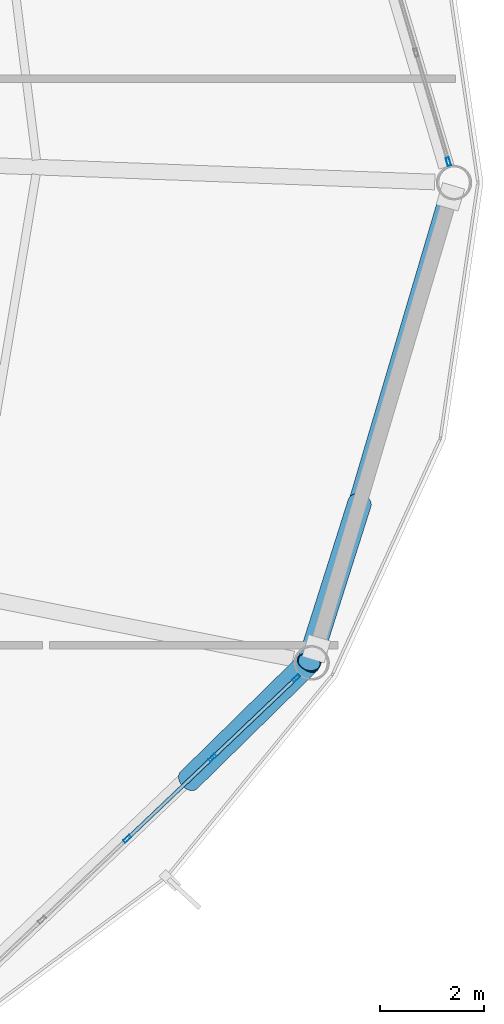
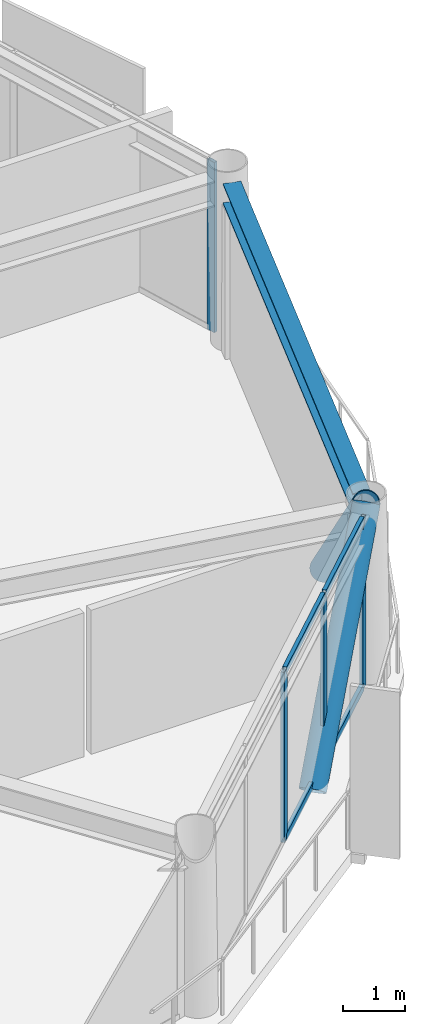
# One storey, part 16 of 29: 10 members, 1 beam, 2 elements without a shape of their own.
"""IFC4 building model written with IfcOpenShell, lengths in metres."""

from ifc_helpers import new_model, si_unit, direction, frame, origin, origin_2d, place, context, subcontext, project, spatial, hollow_rectangle, hollow_circle, i_section, extrude, material, layer, layer_set, material_profile, profile_set, type_object, element, aggregate, save


model = new_model("IFC4")

# Units and contexts
model_context = context("Model", 3, precision=1e-05, world=origin(), true_north=direction((0.0, 1.0)))
body_context = subcontext(model_context, "Body", "Model", "MODEL_VIEW")
ifc_project = project(units=[si_unit("LENGTHUNIT", "METRE"), si_unit("AREAUNIT", "SQUARE_METRE"), si_unit("VOLUMEUNIT", "CUBIC_METRE"), si_unit("PLANEANGLEUNIT", "RADIAN"), si_unit("MASSUNIT", "GRAM", prefix="KILO")], contexts=[model_context])

# Site, building, storey
site_placement = place(None, origin())
site = spatial("IfcSite", under=ifc_project, at=site_placement, CompositionType="ELEMENT")
building_placement = place(site_placement, origin())
building = spatial("IfcBuilding", under=site, at=building_placement, Name="Varnakorn Sky Granary", CompositionType="ELEMENT")
storey_placement = place(building_placement, frame((0.0, 0.0, 189.60009765625)))
storey = spatial("IfcBuildingStorey", under=building, at=storey_placement, Name="L47", CompositionType="ELEMENT", Elevation=189.60009765625)

# Beam
ifc_material_1 = material(Name="Steel S355JR", Category="steel")
ifc_material_profile_1 = material_profile(ifc_material_1, i_section(OverallWidth=0.300048828125, OverallDepth=0.39990234375, WebThickness=0.013427734375, FlangeThickness=0.02392578125, at=origin_2d()), Name="HE 400 B")
ifc_profile_set_1 = profile_set([ifc_material_profile_1], Name="Steel S355JR")
beam_type = type_object("IfcBeamType", Name="BM-SPD-Z4", PredefinedType="SPANDREL", material=ifc_profile_set_1)
beam_placement = place(storey_placement, frame((21.719482421875, -8.9208984375, 3.159912109375), z_axis=(0.28390984566, 0.958850978795, 0.0), x_axis=(-0.958850978795, 0.28390984566, 0.0)))
element("IfcBeam", 1, at=beam_placement, inside=storey, type_object=beam_type, Name="Perimeter Spandrel Ring Beam RB12 L47", PredefinedType="SPANDREL", context=body_context, shape_type="SweptSolid", body=[
    extrude(i_section(OverallWidth=0.300048828125, OverallDepth=0.39990234375, WebThickness=0.013427734375, FlangeThickness=0.02392578125, at=origin_2d()), origin(), (0.0, 0.0, 1.0), 8.98876953125),
])

# Curtain wall, member
ifc_material_2 = material(Name="Anodised Bronze Aluminium Alloy 6063-T6", Category="aluminium")
ifc_layer = layer(ifc_material_2, 0.169921875, Name="Anodised Bronze Aluminium Alloy 6063-T6")
ifc_layer_set = layer_set([ifc_layer], Name="Anodised Bronze Aluminium Alloy 6063-T6")
curtain_wall_type = type_object("IfcCurtainWallType", Name="CW-LAB-1", PredefinedType="USERDEFINED", material=ifc_layer_set)
curtain_wall_1_placement = place(storey_placement, origin())
curtain_wall_1 = element("IfcCurtainWall", 2, at=curtain_wall_1_placement, inside=storey, type_object=curtain_wall_type, Name="Unitised Curtain Wall CW5 CW-L47-B01", ObjectType="CURTAIN WALL", PredefinedType="USERDEFINED")
ifc_material_profile_2 = material_profile(ifc_material_2, hollow_rectangle(XDim=0.06494140625, YDim=0.159912109375, WallThickness=0.00341796875, at=origin_2d()), Name="ALU MULL 65x160")
ifc_profile_set_2 = profile_set([ifc_material_profile_2], Name="Anodised Bronze Aluminium Alloy 6063-T6")
member_type_1 = type_object("IfcMemberType", Name="CW-LAB-1-MULL", PredefinedType="MULLION", material=ifc_profile_set_2)
member_1_placement = place(storey_placement, frame((24.308837890625, 0.405029296875, 0.0), z_axis=(0.0, 0.0, 1.0), x_axis=(0.958736816121, 0.284295123796, 0.0)))
member_1 = element("IfcMember", 3, at=member_1_placement, type_object=member_type_1, Name="CW5 mullion 5", PredefinedType="MULLION", context=body_context, shape_type="SweptSolid", body=[
    extrude(hollow_rectangle(XDim=0.06494140625, YDim=0.159912109375, WallThickness=0.00341796875, at=origin_2d()), origin(), (0.0, 0.0, 1.0), 3.35986328125),
])
aggregate(curtain_wall_1, [member_1])

# Curtain wall, members
curtain_wall_2_placement = place(storey_placement, origin())
curtain_wall_2 = element("IfcCurtainWall", 4, at=curtain_wall_2_placement, inside=storey, type_object=curtain_wall_type, Name="Unitised Curtain Wall CW5 CW-L47-B11", ObjectType="CURTAIN WALL", PredefinedType="USERDEFINED")
member_2_placement = place(storey_placement, frame((21.3828125, -9.531005859375, 0.0), z_axis=(0.0, 0.0, 1.0), x_axis=(0.688905297757, -0.724851357674, 0.0)))
member_2 = element("IfcMember", 5, at=member_2_placement, type_object=member_type_1, Name="CW5 mullion 1", PredefinedType="MULLION", context=body_context, shape_type="SweptSolid", body=[
    extrude(hollow_rectangle(XDim=0.06494140625, YDim=0.159912109375, WallThickness=0.00341796875, at=origin_2d()), origin(), (0.0, 0.0, 1.0), 3.35986328125),
])
member_3_placement = place(storey_placement, frame((19.768310546875, -11.0654296875, 0.0), z_axis=(0.0, 0.0, 1.0), x_axis=(0.688905297757, -0.724851357674, 0.0)))
member_3 = element("IfcMember", 6, at=member_3_placement, type_object=member_type_1, Name="CW5 mullion 2", PredefinedType="MULLION", context=body_context, shape_type="SweptSolid", body=[
    extrude(hollow_rectangle(XDim=0.06494140625, YDim=0.159912109375, WallThickness=0.00341796875, at=origin_2d()), origin(), (0.0, 0.0, 1.0), 3.35986328125),
])
member_4_placement = place(storey_placement, frame((18.130615234375, -12.6220703125, 0.0), z_axis=(0.0, 0.0, 1.0), x_axis=(0.688905297757, -0.724851357674, 0.0)))
member_4 = element("IfcMember", 7, at=member_4_placement, type_object=member_type_1, Name="CW5 mullion 3", PredefinedType="MULLION", context=body_context, shape_type="SweptSolid", body=[
    extrude(hollow_rectangle(XDim=0.06494140625, YDim=0.159912109375, WallThickness=0.00341796875, at=origin_2d()), origin(), (0.0, 0.0, 1.0), 3.35986328125),
])
ifc_material_profile_3 = material_profile(ifc_material_2, hollow_rectangle(XDim=0.070068359375, YDim=0.139892578125, WallThickness=0.00341796875, at=origin_2d()), Name="ALU TRAN 70x140")
ifc_profile_set_3 = profile_set([ifc_material_profile_3], Name="Anodised Bronze Aluminium Alloy 6063-T6")
member_type_2 = type_object("IfcMemberType", Name="CW-LAB-1-TRAN", PredefinedType="USERDEFINED", material=ifc_profile_set_3)
member_5_placement = place(storey_placement, frame((21.359130859375, -9.553466796875, 0.034912109375), z_axis=(-0.72483307441, -0.688924534503, 0.0), x_axis=(0.688924534503, -0.72483307441, 0.0)))
member_5 = element("IfcMember", 8, at=member_5_placement, type_object=member_type_2, Name="CW5 transom 1.1", ObjectType="TRANSOM", PredefinedType="USERDEFINED", context=body_context, shape_type="SweptSolid", body=[
    extrude(hollow_rectangle(XDim=0.070068359375, YDim=0.139892578125, WallThickness=0.00341796875, at=origin_2d()), origin(), (0.0, 0.0, 1.0), 2.162109375),
])
member_6_placement = place(storey_placement, frame((21.359130859375, -9.553466796875, 3.324951171875), z_axis=(-0.72483307441, -0.688924534503, 0.0), x_axis=(0.688924534503, -0.72483307441, 0.0)))
member_6 = element("IfcMember", 9, at=member_6_placement, type_object=member_type_2, Name="CW5 transom 1.2", ObjectType="TRANSOM", PredefinedType="USERDEFINED", context=body_context, shape_type="SweptSolid", body=[
    extrude(hollow_rectangle(XDim=0.070068359375, YDim=0.139892578125, WallThickness=0.00341796875, at=origin_2d()), origin(), (0.0, 0.0, 1.0), 2.162109375),
])
member_7_placement = place(storey_placement, frame((19.744873046875, -11.087646484375, 0.034912109375), z_axis=(-0.724843882888, -0.688913162481, 0.0), x_axis=(0.688913162481, -0.724843882888, 0.0)))
member_7 = element("IfcMember", 10, at=member_7_placement, type_object=member_type_2, Name="CW5 transom 2.1", ObjectType="TRANSOM", PredefinedType="USERDEFINED", context=body_context, shape_type="SweptSolid", body=[
    extrude(hollow_rectangle(XDim=0.070068359375, YDim=0.139892578125, WallThickness=0.00341796875, at=origin_2d()), origin(), (0.0, 0.0, 1.0), 2.19482421875),
])
member_8_placement = place(storey_placement, frame((19.744873046875, -11.087646484375, 3.324951171875), z_axis=(-0.724843882888, -0.688913162481, 0.0), x_axis=(0.688913162481, -0.724843882888, 0.0)))
member_8 = element("IfcMember", 11, at=member_8_placement, type_object=member_type_2, Name="CW5 transom 2.2", ObjectType="TRANSOM", PredefinedType="USERDEFINED", context=body_context, shape_type="SweptSolid", body=[
    extrude(hollow_rectangle(XDim=0.070068359375, YDim=0.139892578125, WallThickness=0.00341796875, at=origin_2d()), origin(), (0.0, 0.0, 1.0), 2.19482421875),
])
aggregate(curtain_wall_2, [member_2, member_3, member_4, member_5, member_6, member_7, member_8])

# Members
ifc_material_3 = material(Name="Steel S460M", Category="steel")
ifc_material_profile_4 = material_profile(ifc_material_3, hollow_circle(Radius=0.228515625, WallThickness=0.01611328125, at=origin_2d()), Name="CHS 457x16")
ifc_profile_set_4 = profile_set([ifc_material_profile_4], Name="Steel S460M")
member_type_3 = type_object("IfcMemberType", Name="MB-DIAG-T3", PredefinedType="BRACE", material=ifc_profile_set_4)
member_9_placement = place(storey_placement, frame((19.316650390625, -11.49462890625, -0.130126953125), z_axis=(0.485645722282, 0.476881959248, 0.732619839598), x_axis=(-0.700639570856, 0.713515375973, 0.0)))
element("IfcMember", 12, at=member_9_placement, inside=storey, type_object=member_type_3, Name="Perimeter CHS Diagrid Brace DG11 L47", PredefinedType="BRACE", context=body_context, shape_type="SweptSolid", body=[
    extrude(hollow_circle(Radius=0.228515625, WallThickness=0.01611328125, at=origin_2d()), origin(), (0.0, 0.0, 1.0), 4.763671875),
])
member_10_placement = place(storey_placement, frame((22.602294921875, -6.159912109375, -0.130126953125), z_axis=(-0.204918949168, -0.645633635425, 0.735639472214), x_axis=(0.953143045262, -0.302519974991, 0.0)))
element("IfcMember", 13, at=member_10_placement, inside=storey, type_object=member_type_3, Name="Perimeter CHS Diagrid Brace DG12 L47", PredefinedType="BRACE", context=body_context, shape_type="SweptSolid", body=[
    extrude(hollow_circle(Radius=0.228515625, WallThickness=0.01611328125, at=origin_2d()), origin(), (0.0, 0.0, 1.0), 4.744140625),
])

save(model, "model.ifc")
